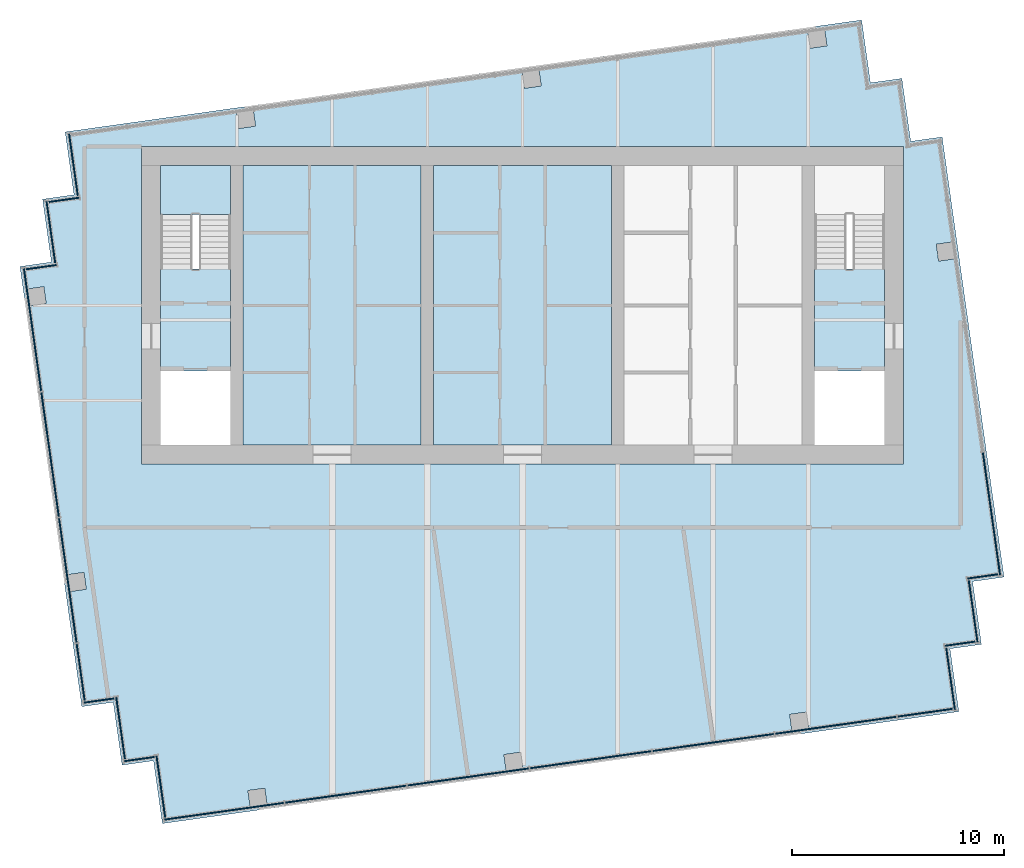
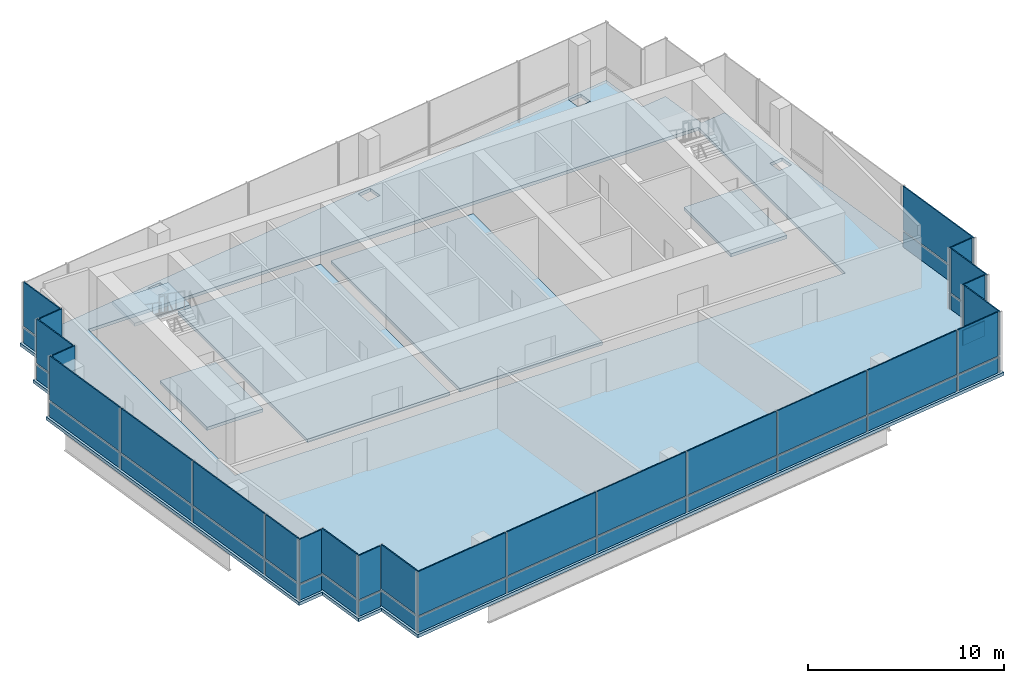
# One storey, part 6 of 10: 48 plates, 6 slabs, 16 elements without a shape of their own.
"""IFC4 building model written with IfcOpenShell, lengths in metres."""

from ifc_helpers import new_model, si_unit, direction, frame, origin, origin_2d, place, context, subcontext, project, spatial, polyline, rectangle, outline, extrude, material, layer, layer_set, type_object, element, aggregate, save


model = new_model("IFC4")

# Units and contexts
model_context = context("Model", 3, precision=1e-05, world=origin(), true_north=direction((0.0, 1.0)))
body_context = subcontext(model_context, "Body", "Model", "MODEL_VIEW")
ifc_project = project(units=[si_unit("LENGTHUNIT", "METRE"), si_unit("AREAUNIT", "SQUARE_METRE"), si_unit("VOLUMEUNIT", "CUBIC_METRE"), si_unit("PLANEANGLEUNIT", "RADIAN"), si_unit("MASSUNIT", "GRAM", prefix="KILO")], contexts=[model_context])

# Site, building, storey
site_placement = place(None, origin())
site = spatial("IfcSite", under=ifc_project, at=site_placement, CompositionType="ELEMENT")
building_placement = place(site_placement, origin())
building = spatial("IfcBuilding", under=site, at=building_placement, Name="Rattan Terrace Tower", CompositionType="ELEMENT")
storey_placement = place(building_placement, frame((0.0, 0.0, 308.300048828125)))
storey = spatial("IfcBuildingStorey", under=building, at=storey_placement, Name="C05", CompositionType="ELEMENT", Elevation=308.300048828125)

# Stair, slab
ifc_material_1 = material(Name="Concrete C40/50", Category="concrete")
stair_type = type_object("IfcStairType", Name="Core exit stair 1500", PredefinedType="HALF_TURN_STAIR", material=ifc_material_1)
stair_placement = place(storey_placement, origin())
stair = element("IfcStair", 1, at=stair_placement, inside=storey, type_object=stair_type, Name="C05 exit stair 1", PredefinedType="HALF_TURN_STAIR")
ifc_material_2 = material(Name="Concrete C40/50", Category="concrete")
ifc_layer_1 = layer(ifc_material_2, 0.199951171875)
ifc_layer_set_1 = layer_set([ifc_layer_1], Name="Core exit stair landing")
slab_type_1 = type_object("IfcSlabType", Name="Core exit stair landing", PredefinedType="LANDING", material=ifc_layer_set_1)
slab_1_placement = place(storey_placement, frame((0.0, 0.0, 1.800048828125)))
slab_1 = element("IfcSlab", 2, at=slab_1_placement, type_object=slab_type_1, Name="S1 landing 1", PredefinedType="LANDING", context=body_context, shape_type="SweptSolid", body=[
    extrude(outline(polyline([(-13.800048828125, 4.300048828125), (-13.800048828125, 6.60009765625), (-17.10009765625, 6.60009765625), (-17.10009765625, 4.300048828125), (-13.800048828125, 4.300048828125)])), origin(), (0.0, 0.0, 1.0), 0.199951171875),
])
aggregate(stair, [slab_1])

# Slabs
ifc_material_3 = material(Name="Concrete C35/45", Category="concrete")
ifc_layer_2 = layer(ifc_material_3, 0.199951171875)
ifc_layer_set_2 = layer_set([ifc_layer_2], Name="Frame composite floor slab 200")
slab_type_2 = type_object("IfcSlabType", Name="Frame composite floor slab 200", PredefinedType="FLOOR", material=ifc_layer_set_2)
slab_2_placement = place(storey_placement, frame((0.0, 0.0, -0.199951171875)))
element("IfcSlab", 3, at=slab_2_placement, inside=storey, type_object=slab_type_2, Name="Floor slab", PredefinedType="FLOOR", context=body_context, shape_type="SweptSolid", body=[
    extrude(outline(polyline([(-22.260986328125, 2.0458984375), (-23.7470703125, 1.8369140625), (-20.823974609375, -18.958984375), (-19.340087890625, -18.75), (-18.9208984375, -21.722900390625), (-17.43701171875, -21.514892578125), (-17.01904296875, -24.48388671875), (-16.52392578125, -24.4140625), (20.115966796875, -19.263916015625), (20.612060546875, -19.195068359375), (20.195068359375, -16.22509765625), (21.678955078125, -16.01611328125), (21.260986328125, -13.0458984375), (22.7470703125, -12.8369140625), (19.823974609375, 7.958984375), (18.340087890625, 7.75), (17.9208984375, 10.722900390625), (16.43701171875, 10.514892578125), (16.01904296875, 13.48388671875), (15.52392578125, 13.4140625), (-21.115966796875, 8.263916015625), (-21.612060546875, 8.195068359375), (-21.195068359375, 5.22509765625), (-22.678955078125, 5.01611328125), (-22.260986328125, 2.0458984375)]), holes=[polyline([(-12.0732421875, -23.6064453125), (-12.1845703125, -22.814208984375), (-12.976806640625, -22.925537109375), (-12.865478515625, -23.7177734375), (-12.0732421875, -23.6064453125)]), polyline([(0.022705078125, -21.906494140625), (-0.088623046875, -21.1142578125), (-0.880859375, -21.2255859375), (-0.769287109375, -22.017822265625), (0.022705078125, -21.906494140625)]), polyline([(-20.7255859375, -12.619140625), (-21.517822265625, -12.730712890625), (-21.406494140625, -13.522705078125), (-20.6142578125, -13.411376953125), (-20.7255859375, -12.619140625)]), polyline([(-18.0, -6.60009765625), (-18.0, -7.5), (18.0, -7.5), (18.0, -6.60009765625), (18.0, 6.60009765625), (18.0, 7.5), (-18.0, 7.5), (-18.0, 6.60009765625), (-18.0, -6.60009765625)]), polyline([(-22.51123046875, 0.088623046875), (-22.62255859375, 0.880859375), (-23.414794921875, 0.769287109375), (-23.303466796875, -0.022705078125), (-22.51123046875, 0.088623046875)]), polyline([(-12.619140625, 8.468505859375), (-12.730712890625, 9.2607421875), (-13.522705078125, 9.1494140625), (-13.411376953125, 8.357177734375), (-12.619140625, 8.468505859375)]), polyline([(13.522705078125, -20.009521484375), (13.411376953125, -19.21728515625), (12.619140625, -19.32861328125), (12.730712890625, -20.120849609375), (13.522705078125, -20.009521484375)]), polyline([(20.45068359375, 2.20556640625), (20.33935546875, 2.997802734375), (19.547119140625, 2.886474609375), (19.65869140625, 2.09423828125), (20.45068359375, 2.20556640625)]), polyline([(0.088623046875, 10.255126953125), (0.880859375, 10.36669921875), (0.769287109375, 11.15869140625), (-0.022705078125, 11.04736328125), (0.088623046875, 10.255126953125)]), polyline([(13.588623046875, 12.152099609375), (14.380859375, 12.263671875), (14.269287109375, 13.055908203125), (13.477294921875, 12.9443359375), (13.588623046875, 12.152099609375)])]), origin(), (0.0, 0.0, 1.0), 0.199951171875),
])
slab_3_placement = place(storey_placement, frame((0.0, 0.0, -0.199951171875)))
element("IfcSlab", 4, at=slab_3_placement, inside=storey, type_object=slab_type_2, Name="Floor slab", PredefinedType="FLOOR", context=body_context, shape_type="SweptSolid", body=[
    extrude(outline(polyline([(-13.199951171875, 6.60009765625), (-13.199951171875, -6.60009765625), (-4.800048828125, -6.60009765625), (-4.800048828125, 6.60009765625), (-13.199951171875, 6.60009765625)])), origin(), (0.0, 0.0, 1.0), 0.199951171875),
])
slab_4_placement = place(storey_placement, frame((0.0, 0.0, -0.199951171875)))
element("IfcSlab", 5, at=slab_4_placement, inside=storey, type_object=slab_type_2, Name="Floor slab", PredefinedType="FLOOR", context=body_context, shape_type="SweptSolid", body=[
    extrude(outline(polyline([(-4.199951171875, 6.60009765625), (-4.199951171875, -6.60009765625), (4.199951171875, -6.60009765625), (4.199951171875, 6.60009765625), (-4.199951171875, 6.60009765625)])), origin(), (0.0, 0.0, 1.0), 0.199951171875),
])
slab_5_placement = place(storey_placement, frame((0.0, 0.0, -0.199951171875)))
element("IfcSlab", 6, at=slab_5_placement, inside=storey, type_object=slab_type_2, Name="Floor slab", PredefinedType="FLOOR", context=body_context, shape_type="SweptSolid", body=[
    extrude(outline(polyline([(-13.800048828125, -3.10009765625), (-13.800048828125, 1.7099609375), (-17.10009765625, 1.7099609375), (-17.10009765625, -3.10009765625), (-13.800048828125, -3.10009765625)])), origin(), (0.0, 0.0, 1.0), 0.199951171875),
])
slab_6_placement = place(storey_placement, frame((0.0, 0.0, -0.199951171875)))
element("IfcSlab", 7, at=slab_6_placement, inside=storey, type_object=slab_type_2, Name="Floor slab", PredefinedType="FLOOR", context=body_context, shape_type="SweptSolid", body=[
    extrude(outline(polyline([(13.800048828125, -3.10009765625), (17.10009765625, -3.10009765625), (17.10009765625, 1.7099609375), (13.800048828125, 1.7099609375), (13.800048828125, -3.10009765625)])), origin(), (0.0, 0.0, 1.0), 0.199951171875),
])

# Curtain wall, plates
ifc_material_4 = material(Name="Aluminium and laminated glass", Category="aluminium")
ifc_layer_3 = layer(ifc_material_4, 0.239990234375)
ifc_layer_set_3 = layer_set([ifc_layer_3], Name="Lantern Stick Curtain Wall")
curtain_wall_type = type_object("IfcCurtainWallType", Name="Lantern Stick Curtain Wall", PredefinedType="NOTDEFINED", material=ifc_layer_set_3)
curtain_wall_1_placement = place(storey_placement, origin())
curtain_wall_1 = element("IfcCurtainWall", 8, at=curtain_wall_1_placement, inside=storey, type_object=curtain_wall_type, Name="Lantern curtain wall C05-1", PredefinedType="NOTDEFINED")
ifc_material_5 = material(Name="Laminated low-iron glass", Category="glass")
ifc_layer_4 = layer(ifc_material_5, 0.06591796875)
ifc_layer_set_4 = layer_set([ifc_layer_4], Name="Lantern CW Laminated Panel")
plate_type = type_object("IfcPlateType", Name="Lantern CW Laminated Panel", PredefinedType="CURTAIN_PANEL", material=ifc_layer_set_4)
plate_1_placement = place(storey_placement, frame((-23.1552734375, -1.152099609375, 0.0), z_axis=(0.0, 0.0, 1.0), x_axis=(0.139187707455, -0.990266015823, 0.0)))
plate_1 = element("IfcPlate", 9, at=plate_1_placement, type_object=plate_type, Name="Panel cwl-C05-001.1.1", PredefinedType="CURTAIN_PANEL", context=body_context, shape_type="SweptSolid", body=[
    extrude(rectangle(XDim=5.844970703125, YDim=0.06591796875, at=origin_2d()), origin(), (0.0, 0.0, 1.0), 0.949951171875),
])
plate_2_placement = place(storey_placement, frame((-23.1552734375, -1.152099609375, 1.050048828125), z_axis=(0.0, 0.0, 1.0), x_axis=(0.139187707455, -0.990266015823, 0.0)))
plate_2 = element("IfcPlate", 10, at=plate_2_placement, type_object=plate_type, Name="Panel cwl-C05-001.1.2", PredefinedType="CURTAIN_PANEL", context=body_context, shape_type="SweptSolid", body=[
    extrude(rectangle(XDim=5.844970703125, YDim=0.06591796875, at=origin_2d()), origin(), (0.0, 0.0, 1.0), 2.75),
])
plate_3_placement = place(storey_placement, frame((-22.325927734375, -7.0517578125, 0.0), z_axis=(0.0, 0.0, 1.0), x_axis=(0.139187707455, -0.990266015823, 0.0)))
plate_3 = element("IfcPlate", 11, at=plate_3_placement, type_object=plate_type, Name="Panel cwl-C05-001.2.1", PredefinedType="CURTAIN_PANEL", context=body_context, shape_type="SweptSolid", body=[
    extrude(rectangle(XDim=5.929931640625, YDim=0.06591796875, at=origin_2d()), origin(), (0.0, 0.0, 1.0), 0.949951171875),
])
plate_4_placement = place(storey_placement, frame((-22.325927734375, -7.0517578125, 1.050048828125), z_axis=(0.0, 0.0, 1.0), x_axis=(0.139187707455, -0.990266015823, 0.0)))
plate_4 = element("IfcPlate", 12, at=plate_4_placement, type_object=plate_type, Name="Panel cwl-C05-001.2.2", PredefinedType="CURTAIN_PANEL", context=body_context, shape_type="SweptSolid", body=[
    extrude(rectangle(XDim=5.929931640625, YDim=0.06591796875, at=origin_2d()), origin(), (0.0, 0.0, 1.0), 2.75),
])
plate_5_placement = place(storey_placement, frame((-21.49072265625, -12.993408203125, 0.0), z_axis=(0.0, 0.0, 1.0), x_axis=(0.139187707455, -0.990266015823, 0.0)))
plate_5 = element("IfcPlate", 13, at=plate_5_placement, type_object=plate_type, Name="Panel cwl-C05-001.3.1", PredefinedType="CURTAIN_PANEL", context=body_context, shape_type="SweptSolid", body=[
    extrude(rectangle(XDim=5.929931640625, YDim=0.06591796875, at=origin_2d()), origin(), (0.0, 0.0, 1.0), 0.949951171875),
])
plate_6_placement = place(storey_placement, frame((-21.49072265625, -12.993408203125, 1.050048828125), z_axis=(0.0, 0.0, 1.0), x_axis=(0.139187707455, -0.990266015823, 0.0)))
plate_6 = element("IfcPlate", 14, at=plate_6_placement, type_object=plate_type, Name="Panel cwl-C05-001.3.2", PredefinedType="CURTAIN_PANEL", context=body_context, shape_type="SweptSolid", body=[
    extrude(rectangle(XDim=5.929931640625, YDim=0.06591796875, at=origin_2d()), origin(), (0.0, 0.0, 1.0), 2.75),
])
plate_7_placement = place(storey_placement, frame((-20.88232421875, -17.323486328125, 0.0), z_axis=(0.0, 0.0, 1.0), x_axis=(0.139187707455, -0.990266015823, 0.0)))
plate_7 = element("IfcPlate", 15, at=plate_7_placement, type_object=plate_type, Name="Panel cwl-C05-001.4.1", PredefinedType="CURTAIN_PANEL", context=body_context, shape_type="SweptSolid", body=[
    extrude(rectangle(XDim=2.67529296875, YDim=0.06591796875, at=origin_2d()), origin(), (0.0, 0.0, 1.0), 0.949951171875),
])
plate_8_placement = place(storey_placement, frame((-20.88232421875, -17.323486328125, 1.050048828125), z_axis=(0.0, 0.0, 1.0), x_axis=(0.139187707455, -0.990266015823, 0.0)))
plate_8 = element("IfcPlate", 16, at=plate_8_placement, type_object=plate_type, Name="Panel cwl-C05-001.4.2", PredefinedType="CURTAIN_PANEL", context=body_context, shape_type="SweptSolid", body=[
    extrude(rectangle(XDim=2.67529296875, YDim=0.06591796875, at=origin_2d()), origin(), (0.0, 0.0, 1.0), 2.75),
])
aggregate(curtain_wall_1, [plate_1, plate_2, plate_3, plate_4, plate_5, plate_6, plate_7, plate_8])

curtain_wall_2_placement = place(storey_placement, origin())
curtain_wall_2 = element("IfcCurtainWall", 17, at=curtain_wall_2_placement, inside=storey, type_object=curtain_wall_type, Name="Lantern curtain wall C05-2", PredefinedType="NOTDEFINED")
plate_9_placement = place(storey_placement, frame((-20.021484375, -18.67431640625, 0.0), z_axis=(0.0, 0.0, 1.0), x_axis=(0.990227803001, 0.139459306479, 0.0)))
plate_9 = element("IfcPlate", 18, at=plate_9_placement, type_object=plate_type, Name="Panel cwl-C05-002.1.1", PredefinedType="CURTAIN_PANEL", context=body_context, shape_type="SweptSolid", body=[
    extrude(rectangle(XDim=1.428466796875, YDim=0.06591796875, at=origin_2d()), origin(), (0.0, 0.0, 1.0), 0.949951171875),
])
plate_10_placement = place(storey_placement, frame((-20.021484375, -18.67431640625, 1.050048828125), z_axis=(0.0, 0.0, 1.0), x_axis=(0.990227803001, 0.139459306479, 0.0)))
plate_10 = element("IfcPlate", 19, at=plate_10_placement, type_object=plate_type, Name="Panel cwl-C05-002.1.2", PredefinedType="CURTAIN_PANEL", context=body_context, shape_type="SweptSolid", body=[
    extrude(rectangle(XDim=1.428466796875, YDim=0.06591796875, at=origin_2d()), origin(), (0.0, 0.0, 1.0), 2.75),
])
aggregate(curtain_wall_2, [plate_9, plate_10])

curtain_wall_3_placement = place(storey_placement, origin())
curtain_wall_3 = element("IfcCurtainWall", 20, at=curtain_wall_3_placement, inside=storey, type_object=curtain_wall_type, Name="Lantern curtain wall C05-3", PredefinedType="NOTDEFINED")
plate_11_placement = place(storey_placement, frame((-18.997802734375, -19.96044921875, 0.0), z_axis=(0.0, 0.0, 1.0), x_axis=(0.139555918709, -0.990214191755, 0.0)))
plate_11 = element("IfcPlate", 21, at=plate_11_placement, type_object=plate_type, Name="Panel cwl-C05-003.1.1", PredefinedType="CURTAIN_PANEL", context=body_context, shape_type="SweptSolid", body=[
    extrude(rectangle(XDim=2.932373046875, YDim=0.06591796875, at=origin_2d()), origin(), (0.0, 0.0, 1.0), 0.949951171875),
])
plate_12_placement = place(storey_placement, frame((-18.997802734375, -19.96044921875, 1.050048828125), z_axis=(0.0, 0.0, 1.0), x_axis=(0.139555918709, -0.990214191755, 0.0)))
plate_12 = element("IfcPlate", 22, at=plate_12_placement, type_object=plate_type, Name="Panel cwl-C05-003.1.2", PredefinedType="CURTAIN_PANEL", context=body_context, shape_type="SweptSolid", body=[
    extrude(rectangle(XDim=2.932373046875, YDim=0.06591796875, at=origin_2d()), origin(), (0.0, 0.0, 1.0), 2.75),
])
aggregate(curtain_wall_3, [plate_11, plate_12])

curtain_wall_4_placement = place(storey_placement, origin())
curtain_wall_4 = element("IfcCurtainWall", 23, at=curtain_wall_4_placement, inside=storey, type_object=curtain_wall_type, Name="Lantern curtain wall C05-4", PredefinedType="NOTDEFINED")
plate_13_placement = place(storey_placement, frame((-18.11865234375, -21.43896484375, 0.0), z_axis=(0.0, 0.0, 1.0), x_axis=(0.990319742912, 0.13880492354, 0.0)))
plate_13 = element("IfcPlate", 24, at=plate_13_placement, type_object=plate_type, Name="Panel cwl-C05-004.1.1", PredefinedType="CURTAIN_PANEL", context=body_context, shape_type="SweptSolid", body=[
    extrude(rectangle(XDim=1.428466796875, YDim=0.06591796875, at=origin_2d()), origin(), (0.0, 0.0, 1.0), 0.949951171875),
])
plate_14_placement = place(storey_placement, frame((-18.11865234375, -21.43896484375, 1.050048828125), z_axis=(0.0, 0.0, 1.0), x_axis=(0.990319742912, 0.13880492354, 0.0)))
plate_14 = element("IfcPlate", 25, at=plate_14_placement, type_object=plate_type, Name="Panel cwl-C05-004.1.2", PredefinedType="CURTAIN_PANEL", context=body_context, shape_type="SweptSolid", body=[
    extrude(rectangle(XDim=1.428466796875, YDim=0.06591796875, at=origin_2d()), origin(), (0.0, 0.0, 1.0), 2.75),
])
aggregate(curtain_wall_4, [plate_13, plate_14])

curtain_wall_5_placement = place(storey_placement, origin())
curtain_wall_5 = element("IfcCurtainWall", 26, at=curtain_wall_5_placement, inside=storey, type_object=curtain_wall_type, Name="Lantern curtain wall C05-5", PredefinedType="NOTDEFINED")
plate_15_placement = place(storey_placement, frame((-17.09521484375, -22.723388671875, 0.0), z_axis=(0.0, 0.0, 1.0), x_axis=(0.139413247769, -0.990234288614, 0.0)))
plate_15 = element("IfcPlate", 27, at=plate_15_placement, type_object=plate_type, Name="Panel cwl-C05-005.1.1", PredefinedType="CURTAIN_PANEL", context=body_context, shape_type="SweptSolid", body=[
    extrude(rectangle(XDim=2.92822265625, YDim=0.06591796875, at=origin_2d()), origin(), (0.0, 0.0, 1.0), 0.949951171875),
])
plate_16_placement = place(storey_placement, frame((-17.09521484375, -22.723388671875, 1.050048828125), z_axis=(0.0, 0.0, 1.0), x_axis=(0.139413247769, -0.990234288614, 0.0)))
plate_16 = element("IfcPlate", 28, at=plate_16_placement, type_object=plate_type, Name="Panel cwl-C05-005.1.2", PredefinedType="CURTAIN_PANEL", context=body_context, shape_type="SweptSolid", body=[
    extrude(rectangle(XDim=2.92822265625, YDim=0.06591796875, at=origin_2d()), origin(), (0.0, 0.0, 1.0), 2.75),
])
aggregate(curtain_wall_5, [plate_15, plate_16])

curtain_wall_6_placement = place(storey_placement, origin())
curtain_wall_6 = element("IfcCurtainWall", 29, at=curtain_wall_6_placement, inside=storey, type_object=curtain_wall_type, Name="Lantern curtain wall C05-6", PredefinedType="NOTDEFINED")
plate_17_placement = place(storey_placement, frame((-14.10595703125, -23.90283203125, 0.0), z_axis=(0.0, 0.0, 1.0), x_axis=(0.990266952226, 0.13918104515, 0.0)))
plate_17 = element("IfcPlate", 30, at=plate_17_placement, type_object=plate_type, Name="Panel cwl-C05-006.1.1", PredefinedType="CURTAIN_PANEL", context=body_context, shape_type="SweptSolid", body=[
    extrude(rectangle(XDim=5.69091796875, YDim=0.06591796875, at=origin_2d()), origin(), (0.0, 0.0, 1.0), 0.949951171875),
])
plate_18_placement = place(storey_placement, frame((-14.10595703125, -23.90283203125, 1.050048828125), z_axis=(0.0, 0.0, 1.0), x_axis=(0.990266952226, 0.13918104515, 0.0)))
plate_18 = element("IfcPlate", 31, at=plate_18_placement, type_object=plate_type, Name="Panel cwl-C05-006.1.2", PredefinedType="CURTAIN_PANEL", context=body_context, shape_type="SweptSolid", body=[
    extrude(rectangle(XDim=5.69091796875, YDim=0.06591796875, at=origin_2d()), origin(), (0.0, 0.0, 1.0), 2.75),
])
plate_19_placement = place(storey_placement, frame((-8.359130859375, -23.09521484375, 0.0), z_axis=(0.0, 0.0, 1.0), x_axis=(0.990266952226, 0.13918104515, 0.0)))
plate_19 = element("IfcPlate", 32, at=plate_19_placement, type_object=plate_type, Name="Panel cwl-C05-006.2.1", PredefinedType="CURTAIN_PANEL", context=body_context, shape_type="SweptSolid", body=[
    extrude(rectangle(XDim=5.77587890625, YDim=0.06591796875, at=origin_2d()), origin(), (0.0, 0.0, 1.0), 0.949951171875),
])
plate_20_placement = place(storey_placement, frame((-8.359130859375, -23.09521484375, 1.050048828125), z_axis=(0.0, 0.0, 1.0), x_axis=(0.990266952226, 0.13918104515, 0.0)))
plate_20 = element("IfcPlate", 33, at=plate_20_placement, type_object=plate_type, Name="Panel cwl-C05-006.2.2", PredefinedType="CURTAIN_PANEL", context=body_context, shape_type="SweptSolid", body=[
    extrude(rectangle(XDim=5.77587890625, YDim=0.06591796875, at=origin_2d()), origin(), (0.0, 0.0, 1.0), 2.75),
])
plate_21_placement = place(storey_placement, frame((-2.570068359375, -22.281494140625, 0.0), z_axis=(0.0, 0.0, 1.0), x_axis=(0.990266952226, 0.13918104515, 0.0)))
plate_21 = element("IfcPlate", 34, at=plate_21_placement, type_object=plate_type, Name="Panel cwl-C05-006.3.1", PredefinedType="CURTAIN_PANEL", context=body_context, shape_type="SweptSolid", body=[
    extrude(rectangle(XDim=5.77587890625, YDim=0.06591796875, at=origin_2d()), origin(), (0.0, 0.0, 1.0), 0.949951171875),
])
plate_22_placement = place(storey_placement, frame((-2.570068359375, -22.281494140625, 1.050048828125), z_axis=(0.0, 0.0, 1.0), x_axis=(0.990266952226, 0.13918104515, 0.0)))
plate_22 = element("IfcPlate", 35, at=plate_22_placement, type_object=plate_type, Name="Panel cwl-C05-006.3.2", PredefinedType="CURTAIN_PANEL", context=body_context, shape_type="SweptSolid", body=[
    extrude(rectangle(XDim=5.77587890625, YDim=0.06591796875, at=origin_2d()), origin(), (0.0, 0.0, 1.0), 2.75),
])
plate_23_placement = place(storey_placement, frame((3.21923828125, -21.4677734375, 0.0), z_axis=(0.0, 0.0, 1.0), x_axis=(0.990266952226, 0.13918104515, 0.0)))
plate_23 = element("IfcPlate", 36, at=plate_23_placement, type_object=plate_type, Name="Panel cwl-C05-006.4.1", PredefinedType="CURTAIN_PANEL", context=body_context, shape_type="SweptSolid", body=[
    extrude(rectangle(XDim=5.77587890625, YDim=0.06591796875, at=origin_2d()), origin(), (0.0, 0.0, 1.0), 0.949951171875),
])
plate_24_placement = place(storey_placement, frame((3.21923828125, -21.4677734375, 1.050048828125), z_axis=(0.0, 0.0, 1.0), x_axis=(0.990266952226, 0.13918104515, 0.0)))
plate_24 = element("IfcPlate", 37, at=plate_24_placement, type_object=plate_type, Name="Panel cwl-C05-006.4.2", PredefinedType="CURTAIN_PANEL", context=body_context, shape_type="SweptSolid", body=[
    extrude(rectangle(XDim=5.77587890625, YDim=0.06591796875, at=origin_2d()), origin(), (0.0, 0.0, 1.0), 2.75),
])
plate_25_placement = place(storey_placement, frame((9.00830078125, -20.654296875, 0.0), z_axis=(0.0, 0.0, 1.0), x_axis=(0.990266952226, 0.13918104515, 0.0)))
plate_25 = element("IfcPlate", 38, at=plate_25_placement, type_object=plate_type, Name="Panel cwl-C05-006.5.1", PredefinedType="CURTAIN_PANEL", context=body_context, shape_type="SweptSolid", body=[
    extrude(rectangle(XDim=5.77587890625, YDim=0.06591796875, at=origin_2d()), origin(), (0.0, 0.0, 1.0), 0.949951171875),
])
plate_26_placement = place(storey_placement, frame((9.00830078125, -20.654296875, 1.050048828125), z_axis=(0.0, 0.0, 1.0), x_axis=(0.990266952226, 0.13918104515, 0.0)))
plate_26 = element("IfcPlate", 39, at=plate_26_placement, type_object=plate_type, Name="Panel cwl-C05-006.5.2", PredefinedType="CURTAIN_PANEL", context=body_context, shape_type="SweptSolid", body=[
    extrude(rectangle(XDim=5.77587890625, YDim=0.06591796875, at=origin_2d()), origin(), (0.0, 0.0, 1.0), 2.75),
])
plate_27_placement = place(storey_placement, frame((14.79736328125, -19.840576171875, 0.0), z_axis=(0.0, 0.0, 1.0), x_axis=(0.990266952226, 0.13918104515, 0.0)))
plate_27 = element("IfcPlate", 40, at=plate_27_placement, type_object=plate_type, Name="Panel cwl-C05-006.6.1", PredefinedType="CURTAIN_PANEL", context=body_context, shape_type="SweptSolid", body=[
    extrude(rectangle(XDim=5.77587890625, YDim=0.06591796875, at=origin_2d()), origin(), (0.0, 0.0, 1.0), 0.949951171875),
])
plate_28_placement = place(storey_placement, frame((14.79736328125, -19.840576171875, 1.050048828125), z_axis=(0.0, 0.0, 1.0), x_axis=(0.990266952226, 0.13918104515, 0.0)))
plate_28 = element("IfcPlate", 41, at=plate_28_placement, type_object=plate_type, Name="Panel cwl-C05-006.6.2", PredefinedType="CURTAIN_PANEL", context=body_context, shape_type="SweptSolid", body=[
    extrude(rectangle(XDim=5.77587890625, YDim=0.06591796875, at=origin_2d()), origin(), (0.0, 0.0, 1.0), 2.75),
])
plate_29_placement = place(storey_placement, frame((19.013916015625, -19.248046875, 0.0), z_axis=(0.0, 0.0, 1.0), x_axis=(0.990266952226, 0.13918104515, 0.0)))
plate_29 = element("IfcPlate", 42, at=plate_29_placement, type_object=plate_type, Name="Panel cwl-C05-006.7.1", PredefinedType="CURTAIN_PANEL", context=body_context, shape_type="SweptSolid", body=[
    extrude(rectangle(XDim=2.599853515625, YDim=0.06591796875, at=origin_2d()), origin(), (0.0, 0.0, 1.0), 0.949951171875),
])
plate_30_placement = place(storey_placement, frame((19.013916015625, -19.248046875, 1.050048828125), z_axis=(0.0, 0.0, 1.0), x_axis=(0.990266952226, 0.13918104515, 0.0)))
plate_30 = element("IfcPlate", 43, at=plate_30_placement, type_object=plate_type, Name="Panel cwl-C05-006.7.2", PredefinedType="CURTAIN_PANEL", context=body_context, shape_type="SweptSolid", body=[
    extrude(rectangle(XDim=2.599853515625, YDim=0.06591796875, at=origin_2d()), origin(), (0.0, 0.0, 1.0), 2.75),
])
aggregate(curtain_wall_6, [plate_17, plate_18, plate_19, plate_20, plate_21, plate_22, plate_23, plate_24, plate_25, plate_26, plate_27, plate_28, plate_29, plate_30])

curtain_wall_7_placement = place(storey_placement, origin())
curtain_wall_7 = element("IfcCurtainWall", 44, at=curtain_wall_7_placement, inside=storey, type_object=curtain_wall_type, Name="Lantern curtain wall C05-7", PredefinedType="NOTDEFINED")
plate_31_placement = place(storey_placement, frame((20.223388671875, -17.6494140625, 0.0), z_axis=(0.0, 0.0, 1.0), x_axis=(-0.139040257974, 0.990286729519, 0.0)))
plate_31 = element("IfcPlate", 45, at=plate_31_placement, type_object=plate_type, Name="Panel cwl-C05-007.1.1", PredefinedType="CURTAIN_PANEL", context=body_context, shape_type="SweptSolid", body=[
    extrude(rectangle(XDim=2.92919921875, YDim=0.06591796875, at=origin_2d()), origin(), (0.0, 0.0, 1.0), 0.949951171875),
])
plate_32_placement = place(storey_placement, frame((20.223388671875, -17.6494140625, 1.050048828125), z_axis=(0.0, 0.0, 1.0), x_axis=(-0.139040257974, 0.990286729519, 0.0)))
plate_32 = element("IfcPlate", 46, at=plate_32_placement, type_object=plate_type, Name="Panel cwl-C05-007.1.2", PredefinedType="CURTAIN_PANEL", context=body_context, shape_type="SweptSolid", body=[
    extrude(rectangle(XDim=2.92919921875, YDim=0.06591796875, at=origin_2d()), origin(), (0.0, 0.0, 1.0), 2.75),
])
aggregate(curtain_wall_7, [plate_31, plate_32])

curtain_wall_8_placement = place(storey_placement, origin())
curtain_wall_8 = element("IfcCurtainWall", 47, at=curtain_wall_8_placement, inside=storey, type_object=curtain_wall_type, Name="Lantern curtain wall C05-8", PredefinedType="NOTDEFINED")
plate_33_placement = place(storey_placement, frame((20.660888671875, -15.98779296875, 0.0), z_axis=(0.0, 0.0, 1.0), x_axis=(0.990227803001, 0.139459306479, 0.0)))
plate_33 = element("IfcPlate", 48, at=plate_33_placement, type_object=plate_type, Name="Panel cwl-C05-008.1.1", PredefinedType="CURTAIN_PANEL", context=body_context, shape_type="SweptSolid", body=[
    extrude(rectangle(XDim=1.4287109375, YDim=0.06591796875, at=origin_2d()), origin(), (0.0, 0.0, 1.0), 0.949951171875),
])
plate_34_placement = place(storey_placement, frame((20.660888671875, -15.98779296875, 1.050048828125), z_axis=(0.0, 0.0, 1.0), x_axis=(0.990227803001, 0.139459306479, 0.0)))
plate_34 = element("IfcPlate", 49, at=plate_34_placement, type_object=plate_type, Name="Panel cwl-C05-008.1.2", PredefinedType="CURTAIN_PANEL", context=body_context, shape_type="SweptSolid", body=[
    extrude(rectangle(XDim=1.4287109375, YDim=0.06591796875, at=origin_2d()), origin(), (0.0, 0.0, 1.0), 2.75),
])
aggregate(curtain_wall_8, [plate_33, plate_34])

curtain_wall_9_placement = place(storey_placement, origin())
curtain_wall_9 = element("IfcCurtainWall", 50, at=curtain_wall_9_placement, inside=storey, type_object=curtain_wall_type, Name="Lantern curtain wall C05-9", PredefinedType="NOTDEFINED")
plate_35_placement = place(storey_placement, frame((21.289794921875, -14.470458984375, 0.0), z_axis=(0.0, 0.0, 1.0), x_axis=(-0.139367219175, 0.990240767803, 0.0)))
plate_35 = element("IfcPlate", 51, at=plate_35_placement, type_object=plate_type, Name="Panel cwl-C05-009.1.1", PredefinedType="CURTAIN_PANEL", context=body_context, shape_type="SweptSolid", body=[
    extrude(rectangle(XDim=2.92919921875, YDim=0.06591796875, at=origin_2d()), origin(), (0.0, 0.0, 1.0), 0.949951171875),
])
plate_36_placement = place(storey_placement, frame((21.289794921875, -14.470458984375, 1.050048828125), z_axis=(0.0, 0.0, 1.0), x_axis=(-0.139367219175, 0.990240767803, 0.0)))
plate_36 = element("IfcPlate", 52, at=plate_36_placement, type_object=plate_type, Name="Panel cwl-C05-009.1.2", PredefinedType="CURTAIN_PANEL", context=body_context, shape_type="SweptSolid", body=[
    extrude(rectangle(XDim=2.92919921875, YDim=0.06591796875, at=origin_2d()), origin(), (0.0, 0.0, 1.0), 2.75),
])
aggregate(curtain_wall_9, [plate_35, plate_36])

curtain_wall_10_placement = place(storey_placement, origin())
curtain_wall_10 = element("IfcCurtainWall", 53, at=curtain_wall_10_placement, inside=storey, type_object=curtain_wall_type, Name="Lantern curtain wall C05-10", PredefinedType="NOTDEFINED")
plate_37_placement = place(storey_placement, frame((21.727783203125, -12.80859375, 0.0), z_axis=(0.0, 0.0, 1.0), x_axis=(0.99025370695, 0.139275252184, 0.0)))
plate_37 = element("IfcPlate", 54, at=plate_37_placement, type_object=plate_type, Name="Panel cwl-C05-010.1.1", PredefinedType="CURTAIN_PANEL", context=body_context, shape_type="SweptSolid", body=[
    extrude(rectangle(XDim=1.4306640625, YDim=0.06591796875, at=origin_2d()), origin(), (0.0, 0.0, 1.0), 0.949951171875),
])
plate_38_placement = place(storey_placement, frame((21.727783203125, -12.80859375, 1.050048828125), z_axis=(0.0, 0.0, 1.0), x_axis=(0.99025370695, 0.139275252184, 0.0)))
plate_38 = element("IfcPlate", 55, at=plate_38_placement, type_object=plate_type, Name="Panel cwl-C05-010.1.2", PredefinedType="CURTAIN_PANEL", context=body_context, shape_type="SweptSolid", body=[
    extrude(rectangle(XDim=1.4306640625, YDim=0.06591796875, at=origin_2d()), origin(), (0.0, 0.0, 1.0), 2.75),
])
aggregate(curtain_wall_10, [plate_37, plate_38])

curtain_wall_11_placement = place(storey_placement, origin())
curtain_wall_11 = element("IfcCurtainWall", 56, at=curtain_wall_11_placement, inside=storey, type_object=curtain_wall_type, Name="Lantern curtain wall C05-11", PredefinedType="NOTDEFINED")
plate_39_placement = place(storey_placement, frame((22.1552734375, -9.847900390625, 0.0), z_axis=(0.0, 0.0, 1.0), x_axis=(-0.139187707455, 0.990266015823, 0.0)))
plate_39 = element("IfcPlate", 57, at=plate_39_placement, type_object=plate_type, Name="Panel cwl-C05-011.1.1", PredefinedType="CURTAIN_PANEL", context=body_context, shape_type="SweptSolid", body=[
    extrude(rectangle(XDim=5.844970703125, YDim=0.06591796875, at=origin_2d()), origin(), (0.0, 0.0, 1.0), 0.949951171875),
])
plate_40_placement = place(storey_placement, frame((22.1552734375, -9.847900390625, 1.050048828125), z_axis=(0.0, 0.0, 1.0), x_axis=(-0.139187707455, 0.990266015823, 0.0)))
plate_40 = element("IfcPlate", 58, at=plate_40_placement, type_object=plate_type, Name="Panel cwl-C05-011.1.2", PredefinedType="CURTAIN_PANEL", context=body_context, shape_type="SweptSolid", body=[
    extrude(rectangle(XDim=5.844970703125, YDim=0.06591796875, at=origin_2d()), origin(), (0.0, 0.0, 1.0), 2.75),
])
aggregate(curtain_wall_11, [plate_39, plate_40])

curtain_wall_12_placement = place(storey_placement, origin())
curtain_wall_12 = element("IfcCurtainWall", 59, at=curtain_wall_12_placement, inside=storey, type_object=curtain_wall_type, Name="Lantern curtain wall C05-17", PredefinedType="NOTDEFINED")
plate_41_placement = place(storey_placement, frame((-21.223388671875, 6.6494140625, 0.0), z_axis=(0.0, 0.0, 1.0), x_axis=(0.139040257975, -0.990286729519, 0.0)))
plate_41 = element("IfcPlate", 60, at=plate_41_placement, type_object=plate_type, Name="Panel cwl-C05-017.1.1", PredefinedType="CURTAIN_PANEL", context=body_context, shape_type="SweptSolid", body=[
    extrude(rectangle(XDim=2.92919921875, YDim=0.06591796875, at=origin_2d()), origin(), (0.0, 0.0, 1.0), 0.949951171875),
])
plate_42_placement = place(storey_placement, frame((-21.223388671875, 6.6494140625, 1.050048828125), z_axis=(0.0, 0.0, 1.0), x_axis=(0.139040257975, -0.990286729519, 0.0)))
plate_42 = element("IfcPlate", 61, at=plate_42_placement, type_object=plate_type, Name="Panel cwl-C05-017.1.2", PredefinedType="CURTAIN_PANEL", context=body_context, shape_type="SweptSolid", body=[
    extrude(rectangle(XDim=2.92919921875, YDim=0.06591796875, at=origin_2d()), origin(), (0.0, 0.0, 1.0), 2.75),
])
aggregate(curtain_wall_12, [plate_41, plate_42])

curtain_wall_13_placement = place(storey_placement, origin())
curtain_wall_13 = element("IfcCurtainWall", 62, at=curtain_wall_13_placement, inside=storey, type_object=curtain_wall_type, Name="Lantern curtain wall C05-18", PredefinedType="NOTDEFINED")
plate_43_placement = place(storey_placement, frame((-21.660888671875, 4.98779296875, 0.0), z_axis=(0.0, 0.0, 1.0), x_axis=(-0.990227803001, -0.139459306479, 0.0)))
plate_43 = element("IfcPlate", 63, at=plate_43_placement, type_object=plate_type, Name="Panel cwl-C05-018.1.1", PredefinedType="CURTAIN_PANEL", context=body_context, shape_type="SweptSolid", body=[
    extrude(rectangle(XDim=1.4287109375, YDim=0.06591796875, at=origin_2d()), origin(), (0.0, 0.0, 1.0), 0.949951171875),
])
plate_44_placement = place(storey_placement, frame((-21.660888671875, 4.98779296875, 1.050048828125), z_axis=(0.0, 0.0, 1.0), x_axis=(-0.990227803001, -0.139459306479, 0.0)))
plate_44 = element("IfcPlate", 64, at=plate_44_placement, type_object=plate_type, Name="Panel cwl-C05-018.1.2", PredefinedType="CURTAIN_PANEL", context=body_context, shape_type="SweptSolid", body=[
    extrude(rectangle(XDim=1.4287109375, YDim=0.06591796875, at=origin_2d()), origin(), (0.0, 0.0, 1.0), 2.75),
])
aggregate(curtain_wall_13, [plate_43, plate_44])

curtain_wall_14_placement = place(storey_placement, origin())
curtain_wall_14 = element("IfcCurtainWall", 65, at=curtain_wall_14_placement, inside=storey, type_object=curtain_wall_type, Name="Lantern curtain wall C05-19", PredefinedType="NOTDEFINED")
plate_45_placement = place(storey_placement, frame((-22.289794921875, 3.470458984375, 0.0), z_axis=(0.0, 0.0, 1.0), x_axis=(0.139367219175, -0.990240767803, 0.0)))
plate_45 = element("IfcPlate", 66, at=plate_45_placement, type_object=plate_type, Name="Panel cwl-C05-019.1.1", PredefinedType="CURTAIN_PANEL", context=body_context, shape_type="SweptSolid", body=[
    extrude(rectangle(XDim=2.92919921875, YDim=0.06591796875, at=origin_2d()), origin(), (0.0, 0.0, 1.0), 0.949951171875),
])
plate_46_placement = place(storey_placement, frame((-22.289794921875, 3.470458984375, 1.050048828125), z_axis=(0.0, 0.0, 1.0), x_axis=(0.139367219175, -0.990240767803, 0.0)))
plate_46 = element("IfcPlate", 67, at=plate_46_placement, type_object=plate_type, Name="Panel cwl-C05-019.1.2", PredefinedType="CURTAIN_PANEL", context=body_context, shape_type="SweptSolid", body=[
    extrude(rectangle(XDim=2.92919921875, YDim=0.06591796875, at=origin_2d()), origin(), (0.0, 0.0, 1.0), 2.75),
])
aggregate(curtain_wall_14, [plate_45, plate_46])

curtain_wall_15_placement = place(storey_placement, origin())
curtain_wall_15 = element("IfcCurtainWall", 68, at=curtain_wall_15_placement, inside=storey, type_object=curtain_wall_type, Name="Lantern curtain wall C05-20", PredefinedType="NOTDEFINED")
plate_47_placement = place(storey_placement, frame((-22.727783203125, 1.80859375, 0.0), z_axis=(0.0, 0.0, 1.0), x_axis=(-0.99025370695, -0.139275252184, 0.0)))
plate_47 = element("IfcPlate", 69, at=plate_47_placement, type_object=plate_type, Name="Panel cwl-C05-020.1.1", PredefinedType="CURTAIN_PANEL", context=body_context, shape_type="SweptSolid", body=[
    extrude(rectangle(XDim=1.4306640625, YDim=0.06591796875, at=origin_2d()), origin(), (0.0, 0.0, 1.0), 0.949951171875),
])
plate_48_placement = place(storey_placement, frame((-22.727783203125, 1.80859375, 1.050048828125), z_axis=(0.0, 0.0, 1.0), x_axis=(-0.99025370695, -0.139275252184, 0.0)))
plate_48 = element("IfcPlate", 70, at=plate_48_placement, type_object=plate_type, Name="Panel cwl-C05-020.1.2", PredefinedType="CURTAIN_PANEL", context=body_context, shape_type="SweptSolid", body=[
    extrude(rectangle(XDim=1.4306640625, YDim=0.06591796875, at=origin_2d()), origin(), (0.0, 0.0, 1.0), 2.75),
])
aggregate(curtain_wall_15, [plate_47, plate_48])

save(model, "model.ifc")
